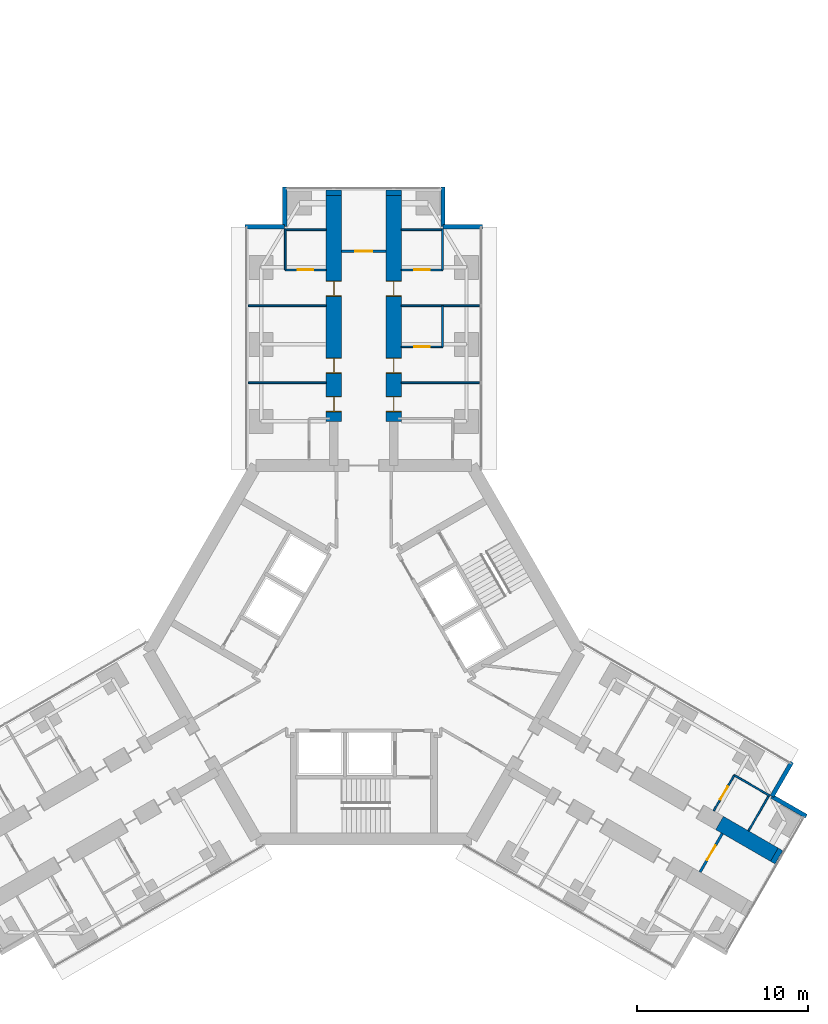
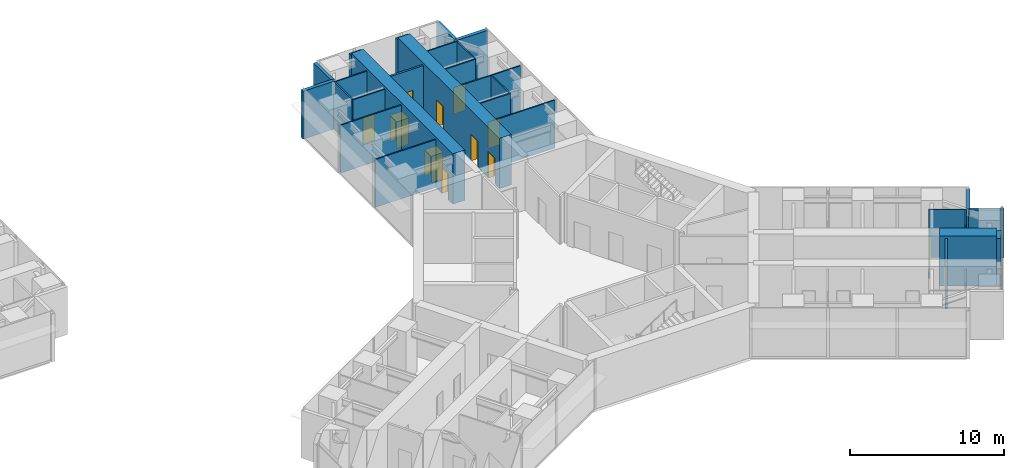
# One storey, part 23 of 25: 29 walls, 12 doors, 12 openings.
"""IFC4 building model written with IfcOpenShell, lengths in metres."""

from ifc_helpers import new_model, si_unit, direction, frame, frame_2d, origin, place, context, subcontext, project, spatial, rectangle, extrude, material, layer, layer_set, type_object, element, fill, save


model = new_model("IFC4")

# Units and contexts
model_context = context("Model", 3, precision=1e-05, world=origin(), true_north=direction((0.0, 1.0)))
body_context = subcontext(model_context, "Body", "Model", "MODEL_VIEW")
ifc_project = project(units=[si_unit("LENGTHUNIT", "METRE"), si_unit("AREAUNIT", "SQUARE_METRE"), si_unit("VOLUMEUNIT", "CUBIC_METRE"), si_unit("PLANEANGLEUNIT", "RADIAN"), si_unit("MASSUNIT", "GRAM", prefix="KILO")], contexts=[model_context])

# Site, building, storey
site_placement = place(None, origin())
site = spatial("IfcSite", under=ifc_project, at=site_placement, CompositionType="ELEMENT")
building_placement = place(site_placement, origin())
building = spatial("IfcBuilding", under=site, at=building_placement, Name="Upepo Twin Towers", CompositionType="ELEMENT")
storey_placement = place(building_placement, frame((0.0, 0.0, 80.5)))
storey = spatial("IfcBuildingStorey", under=building, at=storey_placement, Name="L19", CompositionType="ELEMENT", Elevation=80.5)

# Walls
ifc_material_1 = material(Name="Dense concrete blockwork", Category="masonry")
ifc_layer_1 = layer(ifc_material_1, 0.89990234375)
ifc_layer_set_1 = layer_set([ifc_layer_1], Name="Buttress closer 900, blockwork with fire-stopping to the curtain wall")
wall_type_1 = type_object("IfcWallType", Name="Buttress closer 900, blockwork with fire-stopping to the curtain wall", PredefinedType="PARTITIONING", material=ifc_layer_set_1)
for number, where, z_axis, x_axis, name in (
    (1, (56.75, 8.699951171875, 0.0), (0.0, 0.0, 1.0), (0.0, 1.0, 0.0), "T2 L19 wing A buttress closer L"),
    (2, (60.25, 8.699951171875, 0.0), (0.0, 0.0, 1.0), (0.0, 1.0, 0.0), "T2 L19 wing A buttress closer R"),
    (3, (82.497802734375, -29.83447265625, 0.0), (0.0, 0.0, 1.0), (0.866054481515, -0.499949632511, 0.0), "T2 L19 wing C buttress closer L"),
):
    element("IfcWall", number, at=place(storey_placement, frame(where, z_axis=z_axis, x_axis=x_axis)), inside=storey, type_object=wall_type_1, Name=name, PredefinedType="PARTITIONING", context=body_context, shape_type="SweptSolid", body=[
        extrude(rectangle(XDim=0.31005859375, YDim=0.89990234375, at=frame_2d((0.155029296875, 0.0))), origin(), (0.0, 0.0, 1.0), 3.800048828125),
    ])

# Wall, openings, doors
ifc_material_2 = material(Name="Concrete C60/75", Category="concrete")
ifc_layer_2 = layer(ifc_material_2, 0.89990234375)
ifc_layer_set_2 = layer_set([ifc_layer_2], Name="Concrete C60/75")
wall_type_2 = type_object("IfcWallType", Name="Buttress wall 900 RC", PredefinedType="SHEAR", material=ifc_layer_set_2)
wall_1_placement = place(storey_placement, frame((56.75, -4.5, 0.0), z_axis=(0.0, 0.0, 1.0), x_axis=(0.0, 1.0, 0.0)))
wall_1 = element("IfcWall", 4, at=wall_1_placement, inside=storey, type_object=wall_type_2, Name="T2 wing A buttress wall L part 2", PredefinedType="SHEAR", context=body_context, shape_type="SweptSolid", body=[
    extrude(rectangle(XDim=13.199951171875, YDim=0.89990234375, at=frame_2d((6.60009765625, 0.0))), origin(), (0.0, 0.0, 1.0), 4.0),
])
opening_1_placement = place(wall_1_placement, frame((0.550048828125, 0.0, 0.0)))
opening_1 = element("IfcOpeningElement", 5, at=opening_1_placement, cuts=wall_1, Name="Opening D11", PredefinedType="OPENING", context=body_context, shape_type="SweptSolid", body=[
    extrude(rectangle(XDim=0.89990234375, YDim=2.10009765625, at=frame_2d((0.449951171875, 1.050048828125))), frame((0.0, 0.4599609375, 0.0), z_axis=(0.0, -1.0, 0.0), x_axis=(1.0, 0.0, 0.0)), (0.0, 0.0, 1.0), 0.919921875),
])
opening_2_placement = place(wall_1_placement, frame((2.800048828125, 0.0, 0.0)))
opening_2 = element("IfcOpeningElement", 6, at=opening_2_placement, cuts=wall_1, Name="Opening D14", PredefinedType="OPENING", context=body_context, shape_type="SweptSolid", body=[
    extrude(rectangle(XDim=0.89990234375, YDim=2.10009765625, at=frame_2d((0.449951171875, 1.050048828125))), frame((0.0, 0.4599609375, 0.0), z_axis=(0.0, -1.0, 0.0), x_axis=(1.0, 0.0, 0.0)), (0.0, 0.0, 1.0), 0.919921875),
])
opening_3_placement = place(wall_1_placement, frame((7.300048828125, 0.0, 0.0)))
opening_3 = element("IfcOpeningElement", 7, at=opening_3_placement, cuts=wall_1, Name="Opening D14", PredefinedType="OPENING", context=body_context, shape_type="SweptSolid", body=[
    extrude(rectangle(XDim=0.89990234375, YDim=2.10009765625, at=frame_2d((0.449951171875, 1.050048828125))), frame((0.0, 0.4599609375, 0.0), z_axis=(0.0, -1.0, 0.0), x_axis=(1.0, 0.0, 0.0)), (0.0, 0.0, 1.0), 0.919921875),
])
ifc_material_3 = material(Name="Timber doorset", Category="wood")
door_type_1 = type_object("IfcDoorType", Name="Office door 900 FD30", OperationType="SINGLE_SWING_LEFT", PredefinedType="DOOR", material=ifc_material_3)
door_1_placement = place(opening_2_placement, origin())
door_1 = element("IfcDoor", 8, at=door_1_placement, inside=storey, type_object=door_type_1, Name="T2 L19 staff office door", OperationType="SINGLE_SWING_LEFT", OverallHeight=2.10009765625, OverallWidth=0.89990234375, PredefinedType="DOOR", context=body_context, shape_type="SweptSolid", body=[
    extrude(rectangle(XDim=0.81990234375, YDim=2.06009765625, at=frame_2d((0.449951171875, 1.030029296875))), frame((0.0, 0.02490234375, 0.0), z_axis=(0.0, -1.0, 0.0), x_axis=(1.0, 0.0, 0.0)), (0.0, 0.0, 1.0), 0.050048828125),
    extrude(rectangle(XDim=0.04, YDim=2.10009765625, at=frame_2d((0.02001953125, 1.050048828125))), frame((0.0, 0.44970703125, 0.0), z_axis=(0.0, -1.0, 0.0), x_axis=(1.0, 0.0, 0.0)), (0.0, 0.0, 1.0), 0.8994140625),
    extrude(rectangle(XDim=0.04, YDim=2.10009765625, at=frame_2d((0.8798828125, 1.050048828125))), frame((0.0, 0.44970703125, 0.0), z_axis=(0.0, -1.0, 0.0), x_axis=(1.0, 0.0, 0.0)), (0.0, 0.0, 1.0), 0.8994140625),
    extrude(rectangle(XDim=0.81990234375, YDim=0.04, at=frame_2d((0.449951171875, 2.080078125))), frame((0.0, 0.44970703125, 0.0), z_axis=(0.0, -1.0, 0.0), x_axis=(1.0, 0.0, 0.0)), (0.0, 0.0, 1.0), 0.8994140625),
])
fill(opening_2, door_1)
door_2_placement = place(opening_3_placement, origin())
door_2 = element("IfcDoor", 9, at=door_2_placement, inside=storey, type_object=door_type_1, Name="T2 L19 meeting room door", OperationType="SINGLE_SWING_RIGHT", OverallHeight=2.10009765625, OverallWidth=0.89990234375, PredefinedType="DOOR", context=body_context, shape_type="SweptSolid", body=[
    extrude(rectangle(XDim=0.81990234375, YDim=2.06009765625, at=frame_2d((0.449951171875, 1.030029296875))), frame((0.0, 0.02490234375, 0.0), z_axis=(0.0, -1.0, 0.0), x_axis=(1.0, 0.0, 0.0)), (0.0, 0.0, 1.0), 0.050048828125),
    extrude(rectangle(XDim=0.04, YDim=2.10009765625, at=frame_2d((0.02001953125, 1.050048828125))), frame((0.0, 0.44970703125, 0.0), z_axis=(0.0, -1.0, 0.0), x_axis=(1.0, 0.0, 0.0)), (0.0, 0.0, 1.0), 0.8994140625),
    extrude(rectangle(XDim=0.04, YDim=2.10009765625, at=frame_2d((0.8798828125, 1.050048828125))), frame((0.0, 0.44970703125, 0.0), z_axis=(0.0, -1.0, 0.0), x_axis=(1.0, 0.0, 0.0)), (0.0, 0.0, 1.0), 0.8994140625),
    extrude(rectangle(XDim=0.81990234375, YDim=0.04, at=frame_2d((0.449951171875, 2.080078125))), frame((0.0, 0.44970703125, 0.0), z_axis=(0.0, -1.0, 0.0), x_axis=(1.0, 0.0, 0.0)), (0.0, 0.0, 1.0), 0.8994140625),
])
fill(opening_3, door_2)
ifc_material_4 = material(Name="Timber doorset", Category="wood")
door_type_2 = type_object("IfcDoorType", Name="Toilet door 900", OperationType="SINGLE_SWING_LEFT", PredefinedType="DOOR", material=ifc_material_4)
door_3_placement = place(opening_1_placement, origin())
door_3 = element("IfcDoor", 10, at=door_3_placement, inside=storey, type_object=door_type_2, Name="T2 L19 toilets door", OperationType="SINGLE_SWING_LEFT", OverallHeight=2.10009765625, OverallWidth=0.89990234375, PredefinedType="DOOR", context=body_context, shape_type="SweptSolid", body=[
    extrude(rectangle(XDim=0.81990234375, YDim=2.06009765625, at=frame_2d((0.449951171875, 1.030029296875))), frame((0.0, 0.02490234375, 0.0), z_axis=(0.0, -1.0, 0.0), x_axis=(1.0, 0.0, 0.0)), (0.0, 0.0, 1.0), 0.050048828125),
    extrude(rectangle(XDim=0.04, YDim=2.10009765625, at=frame_2d((0.02001953125, 1.050048828125))), frame((0.0, 0.44970703125, 0.0), z_axis=(0.0, -1.0, 0.0), x_axis=(1.0, 0.0, 0.0)), (0.0, 0.0, 1.0), 0.8994140625),
    extrude(rectangle(XDim=0.04, YDim=2.10009765625, at=frame_2d((0.8798828125, 1.050048828125))), frame((0.0, 0.44970703125, 0.0), z_axis=(0.0, -1.0, 0.0), x_axis=(1.0, 0.0, 0.0)), (0.0, 0.0, 1.0), 0.8994140625),
    extrude(rectangle(XDim=0.81990234375, YDim=0.04, at=frame_2d((0.449951171875, 2.080078125))), frame((0.0, 0.44970703125, 0.0), z_axis=(0.0, -1.0, 0.0), x_axis=(1.0, 0.0, 0.0)), (0.0, 0.0, 1.0), 0.8994140625),
])
fill(opening_1, door_3)

wall_2_placement = place(storey_placement, frame((60.25, -4.5, 0.0), z_axis=(0.0, 0.0, 1.0), x_axis=(0.0, 1.0, 0.0)))
wall_2 = element("IfcWall", 11, at=wall_2_placement, inside=storey, type_object=wall_type_2, Name="T2 wing A buttress wall R part 2", PredefinedType="SHEAR", context=body_context, shape_type="SweptSolid", body=[
    extrude(rectangle(XDim=13.199951171875, YDim=0.89990234375, at=frame_2d((6.60009765625, 0.0))), origin(), (0.0, 0.0, 1.0), 4.0),
])
opening_4_placement = place(wall_2_placement, frame((0.550048828125, 0.0, 0.0)))
opening_4 = element("IfcOpeningElement", 12, at=opening_4_placement, cuts=wall_2, Name="Opening D11", PredefinedType="OPENING", context=body_context, shape_type="SweptSolid", body=[
    extrude(rectangle(XDim=0.89990234375, YDim=2.10009765625, at=frame_2d((0.449951171875, 1.050048828125))), frame((0.0, 0.4599609375, 0.0), z_axis=(0.0, -1.0, 0.0), x_axis=(1.0, 0.0, 0.0)), (0.0, 0.0, 1.0), 0.919921875),
])
opening_5_placement = place(wall_2_placement, frame((2.800048828125, 0.0, 0.0)))
opening_5 = element("IfcOpeningElement", 13, at=opening_5_placement, cuts=wall_2, Name="Opening D14", PredefinedType="OPENING", context=body_context, shape_type="SweptSolid", body=[
    extrude(rectangle(XDim=0.89990234375, YDim=2.10009765625, at=frame_2d((0.449951171875, 1.050048828125))), frame((0.0, 0.4599609375, 0.0), z_axis=(0.0, -1.0, 0.0), x_axis=(1.0, 0.0, 0.0)), (0.0, 0.0, 1.0), 0.919921875),
])
opening_6_placement = place(wall_2_placement, frame((7.300048828125, 0.0, 0.0)))
opening_6 = element("IfcOpeningElement", 14, at=opening_6_placement, cuts=wall_2, Name="Opening D14", PredefinedType="OPENING", context=body_context, shape_type="SweptSolid", body=[
    extrude(rectangle(XDim=0.89990234375, YDim=2.10009765625, at=frame_2d((0.449951171875, 1.050048828125))), frame((0.0, 0.4599609375, 0.0), z_axis=(0.0, -1.0, 0.0), x_axis=(1.0, 0.0, 0.0)), (0.0, 0.0, 1.0), 0.919921875),
])
door_4_placement = place(opening_5_placement, origin())
door_4 = element("IfcDoor", 15, at=door_4_placement, inside=storey, type_object=door_type_1, Name="T2 L19 staff office door", OperationType="SINGLE_SWING_LEFT", OverallHeight=2.10009765625, OverallWidth=0.89990234375, PredefinedType="DOOR", context=body_context, shape_type="SweptSolid", body=[
    extrude(rectangle(XDim=0.81990234375, YDim=2.06009765625, at=frame_2d((0.449951171875, 1.030029296875))), frame((0.0, 0.02490234375, 0.0), z_axis=(0.0, -1.0, 0.0), x_axis=(1.0, 0.0, 0.0)), (0.0, 0.0, 1.0), 0.050048828125),
    extrude(rectangle(XDim=0.04, YDim=2.10009765625, at=frame_2d((0.02001953125, 1.050048828125))), frame((0.0, 0.44970703125, 0.0), z_axis=(0.0, -1.0, 0.0), x_axis=(1.0, 0.0, 0.0)), (0.0, 0.0, 1.0), 0.8994140625),
    extrude(rectangle(XDim=0.04, YDim=2.10009765625, at=frame_2d((0.8798828125, 1.050048828125))), frame((0.0, 0.44970703125, 0.0), z_axis=(0.0, -1.0, 0.0), x_axis=(1.0, 0.0, 0.0)), (0.0, 0.0, 1.0), 0.8994140625),
    extrude(rectangle(XDim=0.81990234375, YDim=0.04, at=frame_2d((0.449951171875, 2.080078125))), frame((0.0, 0.44970703125, 0.0), z_axis=(0.0, -1.0, 0.0), x_axis=(1.0, 0.0, 0.0)), (0.0, 0.0, 1.0), 0.8994140625),
])
fill(opening_5, door_4)
door_5_placement = place(opening_6_placement, origin())
door_5 = element("IfcDoor", 16, at=door_5_placement, inside=storey, type_object=door_type_1, Name="T2 L19 postgraduate office door", OperationType="SINGLE_SWING_RIGHT", OverallHeight=2.10009765625, OverallWidth=0.89990234375, PredefinedType="DOOR", context=body_context, shape_type="SweptSolid", body=[
    extrude(rectangle(XDim=0.81990234375, YDim=2.06009765625, at=frame_2d((0.449951171875, 1.030029296875))), frame((0.0, 0.02490234375, 0.0), z_axis=(0.0, -1.0, 0.0), x_axis=(1.0, 0.0, 0.0)), (0.0, 0.0, 1.0), 0.050048828125),
    extrude(rectangle(XDim=0.04, YDim=2.10009765625, at=frame_2d((0.02001953125, 1.050048828125))), frame((0.0, 0.44970703125, 0.0), z_axis=(0.0, -1.0, 0.0), x_axis=(1.0, 0.0, 0.0)), (0.0, 0.0, 1.0), 0.8994140625),
    extrude(rectangle(XDim=0.04, YDim=2.10009765625, at=frame_2d((0.8798828125, 1.050048828125))), frame((0.0, 0.44970703125, 0.0), z_axis=(0.0, -1.0, 0.0), x_axis=(1.0, 0.0, 0.0)), (0.0, 0.0, 1.0), 0.8994140625),
    extrude(rectangle(XDim=0.81990234375, YDim=0.04, at=frame_2d((0.449951171875, 2.080078125))), frame((0.0, 0.44970703125, 0.0), z_axis=(0.0, -1.0, 0.0), x_axis=(1.0, 0.0, 0.0)), (0.0, 0.0, 1.0), 0.8994140625),
])
fill(opening_6, door_5)
door_6_placement = place(opening_4_placement, origin())
door_6 = element("IfcDoor", 17, at=door_6_placement, inside=storey, type_object=door_type_2, Name="T2 L19 accessible wc door", OperationType="SINGLE_SWING_LEFT", OverallHeight=2.10009765625, OverallWidth=0.89990234375, PredefinedType="DOOR", context=body_context, shape_type="SweptSolid", body=[
    extrude(rectangle(XDim=0.81990234375, YDim=2.06009765625, at=frame_2d((0.449951171875, 1.030029296875))), frame((0.0, 0.02490234375, 0.0), z_axis=(0.0, -1.0, 0.0), x_axis=(1.0, 0.0, 0.0)), (0.0, 0.0, 1.0), 0.050048828125),
    extrude(rectangle(XDim=0.04, YDim=2.10009765625, at=frame_2d((0.02001953125, 1.050048828125))), frame((0.0, 0.44970703125, 0.0), z_axis=(0.0, -1.0, 0.0), x_axis=(1.0, 0.0, 0.0)), (0.0, 0.0, 1.0), 0.8994140625),
    extrude(rectangle(XDim=0.04, YDim=2.10009765625, at=frame_2d((0.8798828125, 1.050048828125))), frame((0.0, 0.44970703125, 0.0), z_axis=(0.0, -1.0, 0.0), x_axis=(1.0, 0.0, 0.0)), (0.0, 0.0, 1.0), 0.8994140625),
    extrude(rectangle(XDim=0.81990234375, YDim=0.04, at=frame_2d((0.449951171875, 2.080078125))), frame((0.0, 0.44970703125, 0.0), z_axis=(0.0, -1.0, 0.0), x_axis=(1.0, 0.0, 0.0)), (0.0, 0.0, 1.0), 0.8994140625),
])
fill(opening_4, door_6)

# Walls
wall_3_placement = place(storey_placement, frame((79.293701171875, -27.984375, 0.0), z_axis=(0.0, 0.0, 1.0), x_axis=(0.866000971088, -0.500042316284, 0.0)))
element("IfcWall", 18, at=wall_3_placement, inside=storey, type_object=wall_type_2, Name="T2 wing C buttress wall L part 3", PredefinedType="SHEAR", context=body_context, shape_type="SweptSolid", body=[
    extrude(rectangle(XDim=3.699951171875, YDim=0.89990234375, at=frame_2d((1.85009765625, 0.0))), origin(), (0.0, 0.0, 1.0), 4.0),
])
ifc_material_5 = material(Name="Blockwork with anodised aluminium cladding", Category="masonry")
ifc_layer_3 = layer(ifc_material_5, 0.25)
ifc_layer_set_3 = layer_set([ifc_layer_3], Name="Notch cladding wall 250, pale metal")
wall_type_3 = type_object("IfcWallType", Name="Notch cladding wall 250, pale metal", PredefinedType="STANDARD", material=ifc_layer_set_3)
for number, where, z_axis, x_axis, name in (
    (19, (51.550048828125, 6.875, 0.0), (0.0, 0.0, 1.0), (1.0, 0.0, 0.0), "T2 L19 wing A notch wall L1"),
    (20, (53.875, 6.875, 0.0), (0.0, 0.0, 1.0), (0.0, 1.0, 0.0), "T2 L19 wing A notch wall L2"),
    (21, (65.449951171875, 6.875, 0.0), (0.0, 0.0, 1.0), (-1.0, 0.0, 0.0), "T2 L19 wing A notch wall R1"),
    (22, (63.125, 6.875, 0.0), (0.0, 0.0, 1.0), (0.0, 1.0, 0.0), "T2 L19 wing A notch wall R2"),
    (23, (83.517333984375, -24.418701171875, 0.0), (0.0, 0.0, 1.0), (-0.499967891604, -0.866043940782, 0.0), "T2 L19 wing C notch wall L1"),
    (24, (82.35498046875, -26.43212890625, 0.0), (0.0, 0.0, 1.0), (0.865998469481, -0.500046648681, 0.0), "T2 L19 wing C notch wall L2"),
):
    element("IfcWall", number, at=place(storey_placement, frame(where, z_axis=z_axis, x_axis=x_axis)), inside=storey, type_object=wall_type_3, Name=name, PredefinedType="STANDARD", context=body_context, shape_type="SweptSolid", body=[
        extrude(rectangle(XDim=2.324951171875, YDim=0.25, at=frame_2d((1.16259765625, 0.0))), origin(), (0.0, 0.0, 1.0), 3.800048828125),
    ])
ifc_material_6 = material(Name="Gypsum board on steel studs", Category="steel")
ifc_layer_4 = layer(ifc_material_6, 0.10009765625)
ifc_layer_set_4 = layer_set([ifc_layer_4], Name="Office partition 100 stud")
wall_type_4 = type_object("IfcWallType", Name="Office partition 100 stud", PredefinedType="PARTITIONING", material=ifc_layer_set_4)
for number, where, z_axis, x_axis, name in (
    (25, (56.300048828125, -2.25, 0.0), (0.0, 0.0, 1.0), (-1.0, 0.0, 0.0), "T2 partition AL at 15.75"),
    (26, (56.300048828125, 2.25, 0.0), (0.0, 0.0, 1.0), (-1.0, 0.0, 0.0), "T2 partition AL at 20.25"),
):
    element("IfcWall", number, at=place(storey_placement, frame(where, z_axis=z_axis, x_axis=x_axis)), inside=storey, type_object=wall_type_4, Name=name, PredefinedType="PARTITIONING", context=body_context, shape_type="SweptSolid", body=[
        extrude(rectangle(XDim=4.550048828125, YDim=0.10009765625, at=frame_2d((2.27490234375, 0.0))), origin(), (0.0, 0.0, 1.0), 3.800048828125),
    ])
wall_4_placement = place(storey_placement, frame((53.89990234375, 4.35009765625, 0.0), z_axis=(0.0, 0.0, 1.0), x_axis=(0.0, 1.0, 0.0)))
element("IfcWall", 27, at=wall_4_placement, inside=storey, type_object=wall_type_4, Name="T2 inner room partition AL at 22.35", PredefinedType="PARTITIONING", context=body_context, shape_type="SweptSolid", body=[
    extrude(rectangle(XDim=2.39990234375, YDim=0.10009765625, at=frame_2d((1.199951171875, 0.0))), origin(), (0.0, 0.0, 1.0), 3.800048828125),
])

# Wall, opening, door
wall_5_placement = place(storey_placement, frame((56.300048828125, 4.35009765625, 0.0), z_axis=(0.0, 0.0, 1.0), x_axis=(-1.0, 0.0, 0.0)))
wall_5 = element("IfcWall", 28, at=wall_5_placement, inside=storey, type_object=wall_type_4, Name="T2 inner room partition AL end at 22.35", PredefinedType="PARTITIONING", context=body_context, shape_type="SweptSolid", body=[
    extrude(rectangle(XDim=2.400146484375, YDim=0.10009765625, at=frame_2d((1.2001953125, 0.0))), origin(), (0.0, 0.0, 1.0), 3.800048828125),
])
opening_7_placement = place(wall_5_placement, frame((0.75, 0.0, 0.0)))
opening_7 = element("IfcOpeningElement", 29, at=opening_7_placement, cuts=wall_5, Name="Opening D14", PredefinedType="OPENING", context=body_context, shape_type="SweptSolid", body=[
    extrude(rectangle(XDim=0.89990234375, YDim=2.10009765625, at=frame_2d((0.449951171875, 1.050048828125))), frame((0.0, 0.06005859375, 0.0), z_axis=(0.0, -1.0, 0.0), x_axis=(1.0, 0.0, 0.0)), (0.0, 0.0, 1.0), 0.1201171875),
])
door_7_placement = place(opening_7_placement, origin())
door_7 = element("IfcDoor", 30, at=door_7_placement, inside=storey, type_object=door_type_1, Name="T2 L19 inner room door", OperationType="SINGLE_SWING_LEFT", OverallHeight=2.10009765625, OverallWidth=0.89990234375, PredefinedType="DOOR", context=body_context, shape_type="SweptSolid", body=[
    extrude(rectangle(XDim=0.89990234375, YDim=2.10009765625, at=frame_2d((0.449951171875, 1.050048828125))), frame((0.0, 0.02490234375, 0.0), z_axis=(0.0, -1.0, 0.0), x_axis=(1.0, 0.0, 0.0)), (0.0, 0.0, 1.0), 0.050048828125),
])
fill(opening_7, door_7)

# Walls
wall_6_placement = place(storey_placement, frame((56.300048828125, 6.699951171875, 0.0), z_axis=(0.0, 0.0, 1.0), x_axis=(-1.0, 0.0, 0.0)))
element("IfcWall", 31, at=wall_6_placement, inside=storey, type_object=wall_type_4, Name="T2 inner room partition AL end at 24.75", PredefinedType="PARTITIONING", context=body_context, shape_type="SweptSolid", body=[
    extrude(rectangle(XDim=2.400146484375, YDim=0.10009765625, at=frame_2d((1.2001953125, 0.0))), origin(), (0.0, 0.0, 1.0), 3.800048828125),
])
for number, where, z_axis, x_axis, name in (
    (32, (60.699951171875, -2.25, 0.0), (0.0, 0.0, 1.0), (1.0, 0.0, 0.0), "T2 partition AR at 15.75"),
    (33, (60.699951171875, 2.25, 0.0), (0.0, 0.0, 1.0), (1.0, 0.0, 0.0), "T2 partition AR at 20.25"),
):
    element("IfcWall", number, at=place(storey_placement, frame(where, z_axis=z_axis, x_axis=x_axis)), inside=storey, type_object=wall_type_4, Name=name, PredefinedType="PARTITIONING", context=body_context, shape_type="SweptSolid", body=[
        extrude(rectangle(XDim=4.550048828125, YDim=0.10009765625, at=frame_2d((2.27490234375, 0.0))), origin(), (0.0, 0.0, 1.0), 3.800048828125),
    ])
wall_7_placement = place(storey_placement, frame((63.10009765625, -0.14990234375, 0.0), z_axis=(0.0, 0.0, 1.0), x_axis=(0.0, 1.0, 0.0)))
element("IfcWall", 34, at=wall_7_placement, inside=storey, type_object=wall_type_4, Name="T2 inner room partition AR at 17.85", PredefinedType="PARTITIONING", context=body_context, shape_type="SweptSolid", body=[
    extrude(rectangle(XDim=2.39990234375, YDim=0.10009765625, at=frame_2d((1.199951171875, 0.0))), origin(), (0.0, 0.0, 1.0), 3.800048828125),
])

# Wall, opening, door
wall_8_placement = place(storey_placement, frame((60.699951171875, -0.14990234375, 0.0), z_axis=(0.0, 0.0, 1.0), x_axis=(1.0, 0.0, 0.0)))
wall_8 = element("IfcWall", 35, at=wall_8_placement, inside=storey, type_object=wall_type_4, Name="T2 inner room partition AR end at 17.85", PredefinedType="PARTITIONING", context=body_context, shape_type="SweptSolid", body=[
    extrude(rectangle(XDim=2.400146484375, YDim=0.10009765625, at=frame_2d((1.2001953125, 0.0))), origin(), (0.0, 0.0, 1.0), 3.800048828125),
])
opening_8_placement = place(wall_8_placement, frame((0.75, 0.0, 0.0)))
opening_8 = element("IfcOpeningElement", 36, at=opening_8_placement, cuts=wall_8, Name="Opening D14", PredefinedType="OPENING", context=body_context, shape_type="SweptSolid", body=[
    extrude(rectangle(XDim=0.89990234375, YDim=2.10009765625, at=frame_2d((0.449951171875, 1.050048828125))), frame((0.0, 0.06005859375, 0.0), z_axis=(0.0, -1.0, 0.0), x_axis=(1.0, 0.0, 0.0)), (0.0, 0.0, 1.0), 0.1201171875),
])
door_8_placement = place(opening_8_placement, origin())
door_8 = element("IfcDoor", 37, at=door_8_placement, inside=storey, type_object=door_type_1, Name="T2 L19 inner room door", OperationType="SINGLE_SWING_LEFT", OverallHeight=2.10009765625, OverallWidth=0.89990234375, PredefinedType="DOOR", context=body_context, shape_type="SweptSolid", body=[
    extrude(rectangle(XDim=0.89990234375, YDim=2.10009765625, at=frame_2d((0.449951171875, 1.050048828125))), frame((0.0, 0.02490234375, 0.0), z_axis=(0.0, -1.0, 0.0), x_axis=(1.0, 0.0, 0.0)), (0.0, 0.0, 1.0), 0.050048828125),
])
fill(opening_8, door_8)

# Wall
wall_9_placement = place(storey_placement, frame((63.10009765625, 4.35009765625, 0.0), z_axis=(0.0, 0.0, 1.0), x_axis=(0.0, 1.0, 0.0)))
element("IfcWall", 38, at=wall_9_placement, inside=storey, type_object=wall_type_4, Name="T2 inner room partition AR at 22.35", PredefinedType="PARTITIONING", context=body_context, shape_type="SweptSolid", body=[
    extrude(rectangle(XDim=2.39990234375, YDim=0.10009765625, at=frame_2d((1.199951171875, 0.0))), origin(), (0.0, 0.0, 1.0), 3.800048828125),
])

# Wall, opening, door
wall_10_placement = place(storey_placement, frame((60.699951171875, 4.35009765625, 0.0), z_axis=(0.0, 0.0, 1.0), x_axis=(1.0, 0.0, 0.0)))
wall_10 = element("IfcWall", 39, at=wall_10_placement, inside=storey, type_object=wall_type_4, Name="T2 inner room partition AR end at 22.35", PredefinedType="PARTITIONING", context=body_context, shape_type="SweptSolid", body=[
    extrude(rectangle(XDim=2.400146484375, YDim=0.10009765625, at=frame_2d((1.2001953125, 0.0))), origin(), (0.0, 0.0, 1.0), 3.800048828125),
])
opening_9_placement = place(wall_10_placement, frame((0.75, 0.0, 0.0)))
opening_9 = element("IfcOpeningElement", 40, at=opening_9_placement, cuts=wall_10, Name="Opening D14", PredefinedType="OPENING", context=body_context, shape_type="SweptSolid", body=[
    extrude(rectangle(XDim=0.89990234375, YDim=2.10009765625, at=frame_2d((0.449951171875, 1.050048828125))), frame((0.0, 0.06005859375, 0.0), z_axis=(0.0, -1.0, 0.0), x_axis=(1.0, 0.0, 0.0)), (0.0, 0.0, 1.0), 0.1201171875),
])
door_9_placement = place(opening_9_placement, origin())
door_9 = element("IfcDoor", 41, at=door_9_placement, inside=storey, type_object=door_type_1, Name="T2 L19 inner room door", OperationType="SINGLE_SWING_LEFT", OverallHeight=2.10009765625, OverallWidth=0.89990234375, PredefinedType="DOOR", context=body_context, shape_type="SweptSolid", body=[
    extrude(rectangle(XDim=0.89990234375, YDim=2.10009765625, at=frame_2d((0.449951171875, 1.050048828125))), frame((0.0, 0.02490234375, 0.0), z_axis=(0.0, -1.0, 0.0), x_axis=(1.0, 0.0, 0.0)), (0.0, 0.0, 1.0), 0.050048828125),
])
fill(opening_9, door_9)

# Walls
wall_11_placement = place(storey_placement, frame((60.699951171875, 6.699951171875, 0.0), z_axis=(0.0, 0.0, 1.0), x_axis=(1.0, 0.0, 0.0)))
element("IfcWall", 42, at=wall_11_placement, inside=storey, type_object=wall_type_4, Name="T2 inner room partition AR end at 24.75", PredefinedType="PARTITIONING", context=body_context, shape_type="SweptSolid", body=[
    extrude(rectangle(XDim=2.400146484375, YDim=0.10009765625, at=frame_2d((1.2001953125, 0.0))), origin(), (0.0, 0.0, 1.0), 3.800048828125),
])
wall_12_placement = place(storey_placement, frame((80.15576171875, -25.191162109375, 0.0), z_axis=(0.0, 0.0, 1.0), x_axis=(0.865980596518, -0.500077600433, 0.0)))
element("IfcWall", 43, at=wall_12_placement, inside=storey, type_object=wall_type_4, Name="T2 inner room partition CL at 22.35", PredefinedType="PARTITIONING", context=body_context, shape_type="SweptSolid", body=[
    extrude(rectangle(XDim=2.39990234375, YDim=0.10009765625, at=frame_2d((1.199951171875, 0.0))), origin(), (0.0, 0.0, 1.0), 3.800048828125),
])

# Wall, opening, door
wall_13_placement = place(storey_placement, frame((78.95556640625, -27.269775390625, 0.0), z_axis=(0.0, 0.0, 1.0), x_axis=(0.500033551112, 0.866006032174, 0.0)))
wall_13 = element("IfcWall", 44, at=wall_13_placement, inside=storey, type_object=wall_type_4, Name="T2 inner room partition CL end at 22.35", PredefinedType="PARTITIONING", context=body_context, shape_type="SweptSolid", body=[
    extrude(rectangle(XDim=2.400146484375, YDim=0.10009765625, at=frame_2d((1.2001953125, 0.0))), origin(), (0.0, 0.0, 1.0), 3.800048828125),
])
opening_10_placement = place(wall_13_placement, frame((0.75, 0.0, 0.0)))
opening_10 = element("IfcOpeningElement", 45, at=opening_10_placement, cuts=wall_13, Name="Opening D14", PredefinedType="OPENING", context=body_context, shape_type="SweptSolid", body=[
    extrude(rectangle(XDim=0.89990234375, YDim=2.10009765625, at=frame_2d((0.449951171875, 1.050048828125))), frame((0.0, 0.06005859375, 0.0), z_axis=(0.0, -1.0, 0.0), x_axis=(1.0, 0.0, 0.0)), (0.0, 0.0, 1.0), 0.1201171875),
])
door_10_placement = place(opening_10_placement, origin())
door_10 = element("IfcDoor", 46, at=door_10_placement, inside=storey, type_object=door_type_1, Name="T2 L19 inner room door", OperationType="SINGLE_SWING_LEFT", OverallHeight=2.10009765625, OverallWidth=0.89990234375, PredefinedType="DOOR", context=body_context, shape_type="SweptSolid", body=[
    extrude(rectangle(XDim=0.89990234375, YDim=2.10009765625, at=frame_2d((0.449951171875, 1.050048828125))), frame((0.0, 0.02490234375, 0.0), z_axis=(0.0, -1.0, 0.0), x_axis=(1.0, 0.0, 0.0)), (0.0, 0.0, 1.0), 0.050048828125),
])
fill(opening_10, door_10)

# Wall
wall_14_placement = place(storey_placement, frame((80.99072265625, -28.44482421875, 0.0), z_axis=(0.0, 0.0, 1.0), x_axis=(0.500033551112, 0.866006032174, 0.0)))
element("IfcWall", 47, at=wall_14_placement, inside=storey, type_object=wall_type_4, Name="T2 inner room partition CL end at 24.75", PredefinedType="PARTITIONING", context=body_context, shape_type="SweptSolid", body=[
    extrude(rectangle(XDim=2.400146484375, YDim=0.10009765625, at=frame_2d((1.2001953125, 0.0))), origin(), (0.0, 0.0, 1.0), 3.800048828125),
])

# Wall, opening, door
ifc_material_7 = material(Name="Gypsum board on steel studs", Category="steel")
ifc_layer_5 = layer(ifc_material_7, 0.14990234375)
ifc_layer_set_5 = layer_set([ifc_layer_5], Name="Teaching partition 150 acoustic")
wall_type_5 = type_object("IfcWallType", Name="Teaching partition 150 acoustic", PredefinedType="PARTITIONING", material=ifc_layer_set_5)
wall_15_placement = place(storey_placement, frame((59.800048828125, 5.449951171875, 0.0), z_axis=(0.0, 0.0, 1.0), x_axis=(-1.0, 0.0, 0.0)))
wall_15 = element("IfcWall", 48, at=wall_15_placement, inside=storey, type_object=wall_type_5, Name="T2 corridor end partition A at 23.45", PredefinedType="PARTITIONING", context=body_context, shape_type="SweptSolid", body=[
    extrude(rectangle(XDim=2.60009765625, YDim=0.14990234375, at=frame_2d((1.300048828125, 0.0))), origin(), (0.0, 0.0, 1.0), 3.800048828125),
])
opening_11_placement = place(wall_15_placement, frame((0.800048828125, 0.0, 0.0)))
opening_11 = element("IfcOpeningElement", 49, at=opening_11_placement, cuts=wall_15, Name="Opening D1", PredefinedType="OPENING", context=body_context, shape_type="SweptSolid", body=[
    extrude(rectangle(XDim=1.0, YDim=2.10009765625, at=frame_2d((0.5, 1.050048828125))), frame((0.0, 0.0849609375, 0.0), z_axis=(0.0, -1.0, 0.0), x_axis=(1.0, 0.0, 0.0)), (0.0, 0.0, 1.0), 0.169921875),
])
ifc_material_8 = material(Name="Timber doorset", Category="wood")
door_type_3 = type_object("IfcDoorType", Name="Room door 1000 FD30", OperationType="SINGLE_SWING_LEFT", PredefinedType="DOOR", material=ifc_material_8)
door_11_placement = place(opening_11_placement, origin())
door_11 = element("IfcDoor", 50, at=door_11_placement, inside=storey, type_object=door_type_3, Name="T2 L19 breakout study room door", OperationType="SINGLE_SWING_LEFT", OverallHeight=2.10009765625, OverallWidth=1.0, PredefinedType="DOOR", context=body_context, shape_type="SweptSolid", body=[
    extrude(rectangle(XDim=1.0, YDim=2.10009765625, at=frame_2d((0.5, 1.050048828125))), frame((0.0, 0.02490234375, 0.0), z_axis=(0.0, -1.0, 0.0), x_axis=(1.0, 0.0, 0.0)), (0.0, 0.0, 1.0), 0.050048828125),
])
fill(opening_11, door_11)

wall_16_placement = place(storey_placement, frame((78.158203125, -30.850830078125, 0.0), z_axis=(0.0, 0.0, 1.0), x_axis=(0.500006934395, 0.866021400173, 0.0)))
wall_16 = element("IfcWall", 51, at=wall_16_placement, inside=storey, type_object=wall_type_5, Name="T2 corridor end partition C at 23.45", PredefinedType="PARTITIONING", context=body_context, shape_type="SweptSolid", body=[
    extrude(rectangle(XDim=2.60009765625, YDim=0.14990234375, at=frame_2d((1.300048828125, 0.0))), origin(), (0.0, 0.0, 1.0), 3.800048828125),
])
opening_12_placement = place(wall_16_placement, frame((0.800048828125, 0.0, 0.0)))
opening_12 = element("IfcOpeningElement", 52, at=opening_12_placement, cuts=wall_16, Name="Opening D1", PredefinedType="OPENING", context=body_context, shape_type="SweptSolid", body=[
    extrude(rectangle(XDim=1.0, YDim=2.10009765625, at=frame_2d((0.5, 1.050048828125))), frame((0.0, 0.0849609375, 0.0), z_axis=(0.0, -1.0, 0.0), x_axis=(1.0, 0.0, 0.0)), (0.0, 0.0, 1.0), 0.169921875),
])
door_12_placement = place(opening_12_placement, origin())
door_12 = element("IfcDoor", 53, at=door_12_placement, inside=storey, type_object=door_type_3, Name="T2 L19 breakout study room door", OperationType="SINGLE_SWING_LEFT", OverallHeight=2.10009765625, OverallWidth=1.0, PredefinedType="DOOR", context=body_context, shape_type="SweptSolid", body=[
    extrude(rectangle(XDim=1.0, YDim=2.10009765625, at=frame_2d((0.5, 1.050048828125))), frame((0.0, 0.02490234375, 0.0), z_axis=(0.0, -1.0, 0.0), x_axis=(1.0, 0.0, 0.0)), (0.0, 0.0, 1.0), 0.050048828125),
])
fill(opening_12, door_12)

save(model, "model.ifc")
